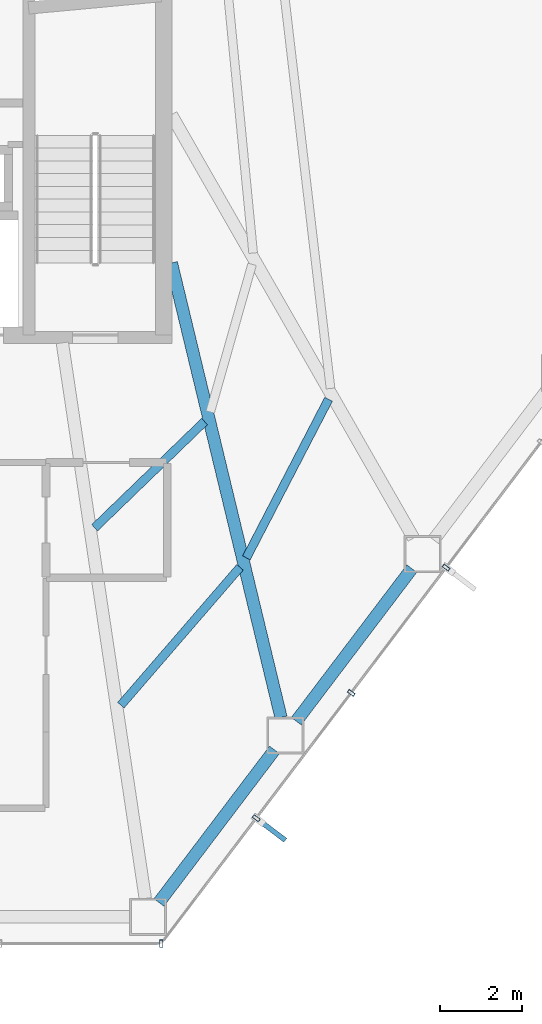
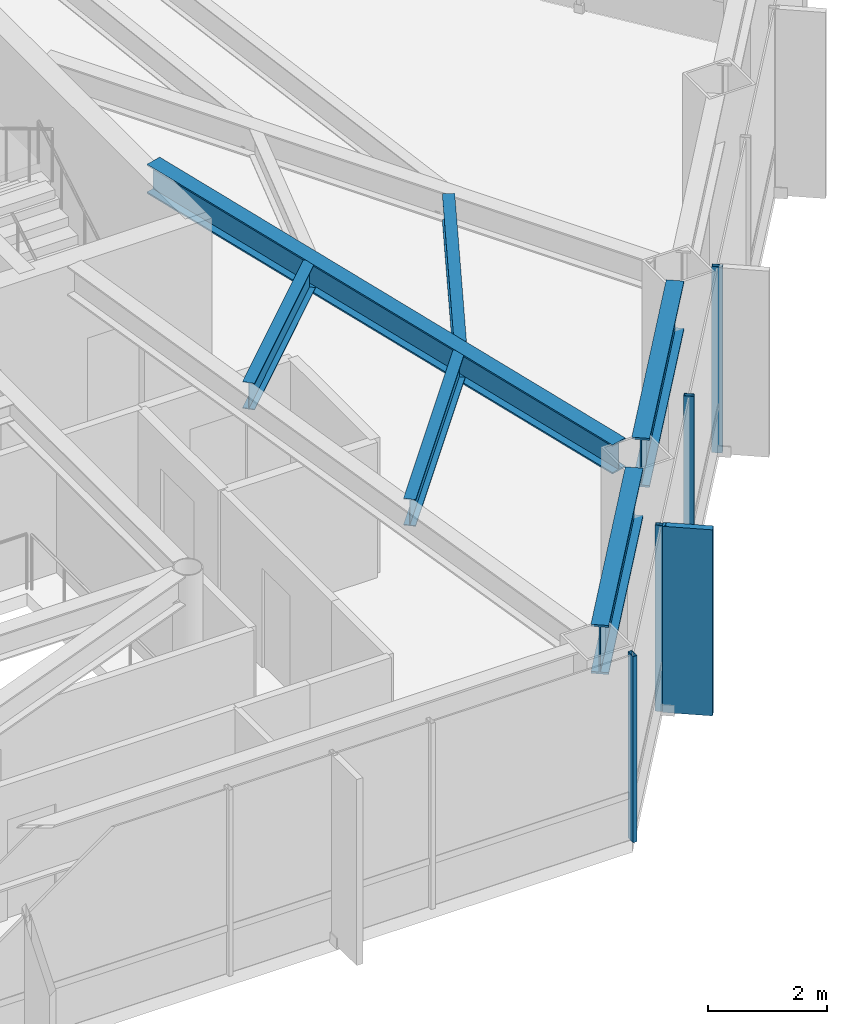
# One storey, part 15 of 25: 6 beams, 5 members, 2 elements without a shape of their own.
"""IFC4 building model written with IfcOpenShell, lengths in metres."""

from ifc_helpers import new_model, si_unit, direction, frame, origin, origin_2d, place, context, subcontext, project, spatial, rectangle, hollow_rectangle, i_section, extrude, material, layer, layer_set, material_profile, profile_set, type_object, element, aggregate, save


model = new_model("IFC4")

# Units and contexts
model_context = context("Model", 3, precision=1e-05, world=origin(), true_north=direction((0.0, 1.0)))
body_context = subcontext(model_context, "Body", "Model", "MODEL_VIEW")
ifc_project = project(units=[si_unit("LENGTHUNIT", "METRE"), si_unit("AREAUNIT", "SQUARE_METRE"), si_unit("VOLUMEUNIT", "CUBIC_METRE"), si_unit("PLANEANGLEUNIT", "RADIAN"), si_unit("MASSUNIT", "GRAM", prefix="KILO")], contexts=[model_context])

# Site, building, storey
site_placement = place(None, origin())
site = spatial("IfcSite", under=ifc_project, at=site_placement, CompositionType="ELEMENT")
building_placement = place(site_placement, origin())
building = spatial("IfcBuilding", under=site, at=building_placement, Name="Zarrinselat Tower", CompositionType="ELEMENT")
storey_placement = place(building_placement, frame((0.0, 0.0, 88.739990234375)))
storey = spatial("IfcBuildingStorey", under=building, at=storey_placement, Name="L21", CompositionType="ELEMENT", Elevation=88.739990234375)

# Beams
ifc_material_1 = material(Name="Steel S355J2", Category="steel")
ifc_material_profile_1 = material_profile(ifc_material_1, i_section(OverallWidth=0.300048828125, OverallDepth=0.60009765625, WebThickness=0.015380859375, FlangeThickness=0.030029296875, at=origin_2d()), Name="HEB 600")
ifc_profile_set_1 = profile_set([ifc_material_profile_1], Name="Steel S355J2")
beam_type_1 = type_object("IfcBeamType", Name="BM-HEB600", PredefinedType="BEAM", material=ifc_profile_set_1)
beam_1_placement = place(storey_placement, frame((48.449951171875, 35.0, 3.52001953125), z_axis=(0.234533399442, -0.972108062175, 0.0), x_axis=(0.972108062175, 0.234533399442, 0.0)))
element("IfcBeam", 1, at=beam_1_placement, inside=storey, type_object=beam_type_1, Name="L21 Radial Primary Girder RG12", PredefinedType="BEAM", context=body_context, shape_type="SweptSolid", body=[
    extrude(i_section(OverallWidth=0.300048828125, OverallDepth=0.60009765625, WebThickness=0.015380859375, FlangeThickness=0.030029296875, at=origin_2d()), origin(), (0.0, 0.0, 1.0), 11.361083984375),
])
ifc_material_2 = material(Name="Steel S460M", Category="steel")
ifc_material_profile_2 = material_profile(ifc_material_2, i_section(OverallWidth=0.302001953125, OverallDepth=1.008056640625, WebThickness=0.02099609375, FlangeThickness=0.0400390625, at=origin_2d()), Name="HEM 1000")
ifc_profile_set_2 = profile_set([ifc_material_profile_2], Name="Steel S460M")
beam_type_2 = type_object("IfcBeamType", Name="BM-HEM1000", PredefinedType="BEAM", material=ifc_profile_set_2)
for number, where, z_axis, x_axis, name in (
    (2, (48.147216796875, 19.458984375, 3.31591796875), (0.603797060273, 0.797138074618, 0.0), (-0.797138074618, 0.603797060273, 0.0), "L21 Perimeter Spandrel Girder SP11"),
    (3, (51.485107421875, 23.865478515625, 3.31591796875), (0.603855667107, 0.797093679126, 0.0), (-0.797093679126, 0.603855667107, 0.0), "L21 Perimeter Spandrel Girder SP12"),
):
    element("IfcBeam", number, at=place(storey_placement, frame(where, z_axis=z_axis, x_axis=x_axis)), inside=storey, type_object=beam_type_2, Name=name, PredefinedType="BEAM", context=body_context, shape_type="SweptSolid", body=[
        extrude(i_section(OverallWidth=0.302001953125, OverallDepth=1.008056640625, WebThickness=0.02099609375, FlangeThickness=0.0400390625, at=origin_2d()), origin(), (0.0, 0.0, 1.0), 4.65185546875),
    ])
ifc_material_3 = material(Name="Steel S355J2", Category="steel")
ifc_material_profile_3 = material_profile(ifc_material_3, i_section(OverallWidth=0.2099609375, OverallDepth=0.550048828125, WebThickness=0.010986328125, FlangeThickness=0.01708984375, at=origin_2d()), Name="IPE 550")
ifc_profile_set_3 = profile_set([ifc_material_profile_3], Name="Steel S355J2")
beam_type_3 = type_object("IfcBeamType", Name="BM-IPE550", PredefinedType="JOIST", material=ifc_profile_set_3)
beam_2_placement = place(storey_placement, frame((47.221923828125, 24.25390625, 3.544921875), z_axis=(0.653796401675, 0.756670512943, 0.0), x_axis=(-0.756670512943, 0.653796401675, 0.0)))
element("IfcBeam", 4, at=beam_2_placement, inside=storey, type_object=beam_type_3, Name="L21 Composite Floor Joist 3-1", PredefinedType="JOIST", context=body_context, shape_type="SweptSolid", body=[
    extrude(i_section(OverallWidth=0.2099609375, OverallDepth=0.550048828125, WebThickness=0.010986328125, FlangeThickness=0.01708984375, at=origin_2d()), origin(), (0.0, 0.0, 1.0), 4.428466796875),
])
beam_3_placement = place(storey_placement, frame((46.5859375, 28.56640625, 3.544921875), z_axis=(0.718874470897, 0.695139910444, 0.0), x_axis=(-0.695139910444, 0.718874470897, 0.0)))
element("IfcBeam", 5, at=beam_3_placement, inside=storey, type_object=beam_type_3, Name="L21 Composite Floor Joist 3-2", PredefinedType="JOIST", context=body_context, shape_type="SweptSolid", body=[
    extrude(i_section(OverallWidth=0.2099609375, OverallDepth=0.550048828125, WebThickness=0.010986328125, FlangeThickness=0.01708984375, at=origin_2d()), origin(), (0.0, 0.0, 1.0), 3.71337890625),
])
beam_4_placement = place(storey_placement, frame((50.27294921875, 27.835205078125, 3.544921875), z_axis=(0.460108562428, 0.887862664369, 0.0), x_axis=(-0.887862664369, 0.460108562428, 0.0)))
element("IfcBeam", 6, at=beam_4_placement, inside=storey, type_object=beam_type_3, Name="L21 Composite Floor Joist 4-1", PredefinedType="JOIST", context=body_context, shape_type="SweptSolid", body=[
    extrude(i_section(OverallWidth=0.2099609375, OverallDepth=0.550048828125, WebThickness=0.010986328125, FlangeThickness=0.01708984375, at=origin_2d()), origin(), (0.0, 0.0, 1.0), 4.3388671875),
])

# Curtain wall, member
ifc_material_4 = material(Name="Extruded Aluminium Alloy EN AW-6063 T6", Category="aluminium")
ifc_layer = layer(ifc_material_4, 0.18505859375)
ifc_layer_set = layer_set([ifc_layer], Name="Extruded Aluminium Alloy EN AW-6063 T6")
curtain_wall_type = type_object("IfcCurtainWallType", Name="CWS-OFF", PredefinedType="NOTDEFINED", material=ifc_layer_set)
curtain_wall_1_placement = place(storey_placement, origin())
curtain_wall_1 = element("IfcCurtainWall", 7, at=curtain_wall_1_placement, inside=storey, type_object=curtain_wall_type, Name="L21 Unitised Curtain Wall CW-L21-E04", PredefinedType="NOTDEFINED")
ifc_material_5 = material(Name="Extruded Aluminium Alloy EN AW-6063 T6", Category="aluminium")
ifc_material_profile_4 = material_profile(ifc_material_5, hollow_rectangle(XDim=0.080078125, YDim=0.179931640625, WallThickness=0.0048828125, at=origin_2d()), Name="RHS 180x80x5")
ifc_profile_set_4 = profile_set([ifc_material_profile_4], Name="Extruded Aluminium Alloy EN AW-6063 T6")
member_type_1 = type_object("IfcMemberType", Name="MEM-CW-MUL", PredefinedType="MULLION", material=ifc_profile_set_4)
member_1_placement = place(storey_placement, frame((48.20556640625, 18.4599609375, 0.0), z_axis=(0.0, 0.0, 1.0), x_axis=(1.0, 0.0, 0.0)))
member_1 = element("IfcMember", 8, at=member_1_placement, type_object=member_type_1, Name="CW-L21-E04 Mullion 7", PredefinedType="MULLION", context=body_context, shape_type="SweptSolid", body=[
    extrude(hollow_rectangle(XDim=0.080078125, YDim=0.179931640625, WallThickness=0.0048828125, at=origin_2d()), origin(), (0.0, 0.0, 1.0), 3.820068359375),
])
aggregate(curtain_wall_1, [member_1])

# Curtain wall, members
curtain_wall_2_placement = place(storey_placement, origin())
curtain_wall_2 = element("IfcCurtainWall", 9, at=curtain_wall_2_placement, inside=storey, type_object=curtain_wall_type, Name="L21 Unitised Curtain Wall CW-L21-E05", PredefinedType="NOTDEFINED")
member_2_placement = place(storey_placement, frame((50.512939453125, 21.505859375, 0.0), z_axis=(0.0, 0.0, 1.0), x_axis=(0.603855672579, 0.797093674981, 0.0)))
member_2 = element("IfcMember", 10, at=member_2_placement, type_object=member_type_1, Name="CW-L21-E05 Mullion 1", PredefinedType="MULLION", context=body_context, shape_type="SweptSolid", body=[
    extrude(hollow_rectangle(XDim=0.080078125, YDim=0.179931640625, WallThickness=0.0048828125, at=origin_2d()), origin(), (0.0, 0.0, 1.0), 3.820068359375),
])
member_3_placement = place(storey_placement, frame((52.820556640625, 24.5517578125, 0.0), z_axis=(0.0, 0.0, 1.0), x_axis=(0.603855672579, 0.797093674981, 0.0)))
member_3 = element("IfcMember", 11, at=member_3_placement, type_object=member_type_1, Name="CW-L21-E05 Mullion 2", PredefinedType="MULLION", context=body_context, shape_type="SweptSolid", body=[
    extrude(hollow_rectangle(XDim=0.080078125, YDim=0.179931640625, WallThickness=0.0048828125, at=origin_2d()), origin(), (0.0, 0.0, 1.0), 3.820068359375),
])
member_4_placement = place(storey_placement, frame((55.1279296875, 27.59765625, 0.0), z_axis=(0.0, 0.0, 1.0), x_axis=(0.603855672579, 0.797093674981, 0.0)))
member_4 = element("IfcMember", 12, at=member_4_placement, type_object=member_type_1, Name="CW-L21-E05 Mullion 3", PredefinedType="MULLION", context=body_context, shape_type="SweptSolid", body=[
    extrude(hollow_rectangle(XDim=0.080078125, YDim=0.179931640625, WallThickness=0.0048828125, at=origin_2d()), origin(), (0.0, 0.0, 1.0), 3.820068359375),
])
ifc_material_6 = material(Name="Honed Cream Travertine Stone", Category="masonry")
ifc_material_profile_5 = material_profile(ifc_material_6, rectangle(XDim=0.1201171875, YDim=0.85009765625, at=origin_2d()), Name="FIN 850x120")
ifc_profile_set_5 = profile_set([ifc_material_profile_5], Name="Honed Cream Travertine Stone")
member_type_2 = type_object("IfcMemberType", Name="MEM-STONE-FIN", PredefinedType="USERDEFINED", material=ifc_profile_set_5)
member_5_placement = place(storey_placement, frame((50.879638671875, 21.22802734375, 0.0), z_axis=(0.0, 0.0, 1.0), x_axis=(-0.603855672579, -0.797093674981, 0.0)))
member_5 = element("IfcMember", 13, at=member_5_placement, type_object=member_type_2, Name="L21 Stone Shading Fin CW-L21-E05-01", ObjectType="FIN", PredefinedType="USERDEFINED", context=body_context, shape_type="SweptSolid", body=[
    extrude(rectangle(XDim=0.1201171875, YDim=0.85009765625, at=origin_2d()), origin(), (0.0, 0.0, 1.0), 3.820068359375),
])
aggregate(curtain_wall_2, [member_2, member_5, member_3, member_4])

save(model, "model.ifc")
